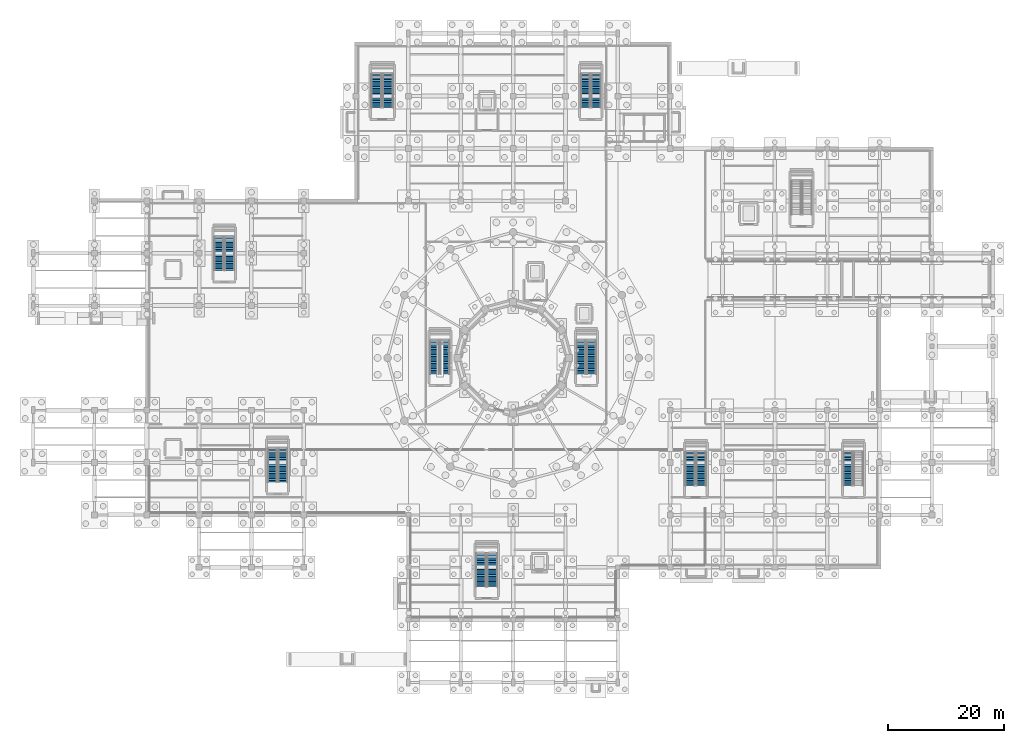
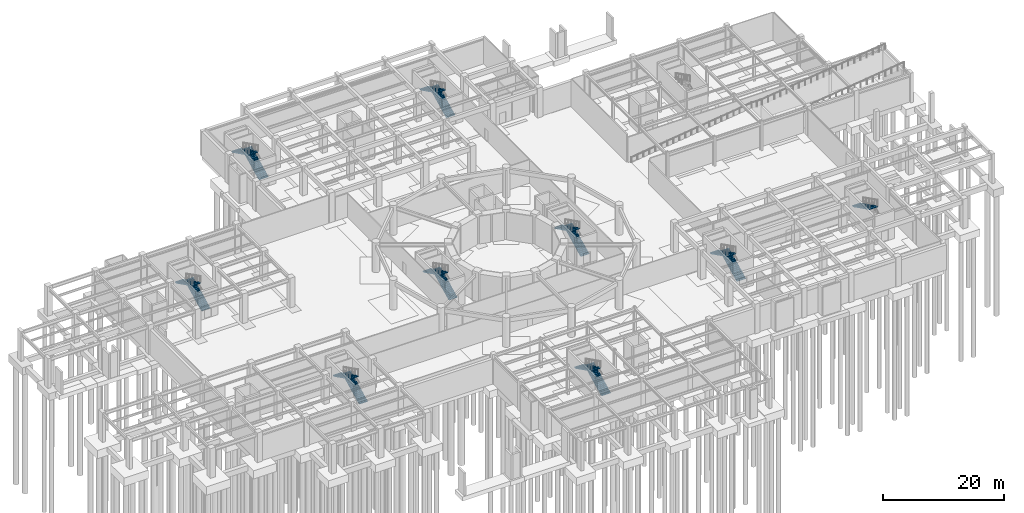
# One storey, part 24 of 36: 17 stair flights, 9 elements without a shape of their own.
"""IFC4 building model written with IfcOpenShell, lengths in metres."""

from ifc_helpers import new_model, si_unit, direction, frame, origin, place, context, subcontext, project, spatial, polyline, outline, extrude, material, type_object, element, aggregate, save


model = new_model("IFC4")

# Units and contexts
model_context = context("Model", 3, precision=1e-05, world=origin(), true_north=direction((0.0, 1.0)))
body_context = subcontext(model_context, "Body", "Model", "MODEL_VIEW")
ifc_project = project(units=[si_unit("LENGTHUNIT", "METRE"), si_unit("AREAUNIT", "SQUARE_METRE"), si_unit("VOLUMEUNIT", "CUBIC_METRE"), si_unit("PLANEANGLEUNIT", "RADIAN"), si_unit("MASSUNIT", "GRAM", prefix="KILO")], contexts=[model_context])

# Site, building, storey
site_placement = place(None, origin())
site = spatial("IfcSite", under=ifc_project, at=site_placement, CompositionType="ELEMENT")
building_placement = place(site_placement, origin())
building = spatial("IfcBuilding", under=site, at=building_placement, Name="Haizhuo Lancet Aquarium", CompositionType="ELEMENT")
storey_placement = place(building_placement, frame((0.0, 0.0, -6.0)))
storey = spatial("IfcBuildingStorey", under=building, at=storey_placement, Name="B1", CompositionType="ELEMENT", Elevation=-6.0)

# Stair, stair flights
ifc_material = material(Name="Concrete C40/50", Category="concrete")
stair_type_1 = type_object("IfcStairType", Name="STR-HT-1600-60", PredefinedType="HALF_TURN_STAIR", material=ifc_material)
stair_1_placement = place(storey_placement, origin())
stair_1 = element("IfcStair", 1, at=stair_1_placement, inside=storey, type_object=stair_type_1, Name="B1 enclosed exit stair ST-01", PredefinedType="HALF_TURN_STAIR")
stair_flight_type_1 = type_object("IfcStairFlightType", Name="FLT-STR-1600-60", PredefinedType="STRAIGHT", material=ifc_material)
stair_flight_1_placement = place(storey_placement, frame((-11.699951171875, -2.75, 0.0), z_axis=(0.0, 0.0, 1.0), x_axis=(0.0, 1.0, 0.0)))
stair_flight_1 = element("IfcStairFlight", 2, at=stair_flight_1_placement, type_object=stair_flight_type_1, Name="ST-16 flight 1", NumberOfRisers=20, NumberOfTreads=19, PredefinedType="STRAIGHT", RiserHeight=0.15, TreadLength=0.3, context=body_context, shape_type="SweptSolid", body=[
    extrude(outline(polyline([(0.0, 0.0), (0.0, 0.14990234375), (0.300048828125, 0.14990234375), (0.300048828125, 0.300048828125), (0.60009765625, 0.300048828125), (0.60009765625, 0.449951171875), (0.89990234375, 0.449951171875), (0.89990234375, 0.60009765625), (1.199951171875, 0.60009765625), (1.199951171875, 0.75), (1.5, 0.75), (1.5, 0.89990234375), (1.800048828125, 0.89990234375), (1.800048828125, 1.050048828125), (2.10009765625, 1.050048828125), (2.10009765625, 1.199951171875), (2.39990234375, 1.199951171875), (2.39990234375, 1.35009765625), (2.699951171875, 1.35009765625), (2.699951171875, 1.5), (3.0, 1.5), (3.0, 1.64990234375), (3.300048828125, 1.64990234375), (3.300048828125, 1.800048828125), (3.60009765625, 1.800048828125), (3.60009765625, 1.949951171875), (3.89990234375, 1.949951171875), (3.89990234375, 2.10009765625), (4.199951171875, 2.10009765625), (4.199951171875, 2.25), (4.5, 2.25), (4.5, 2.39990234375), (4.800048828125, 2.39990234375), (4.800048828125, 2.550048828125), (5.10009765625, 2.550048828125), (5.10009765625, 2.699951171875), (5.39990234375, 2.699951171875), (5.39990234375, 2.85009765625), (5.699951171875, 2.85009765625), (5.699951171875, 3.0), (5.699951171875, 2.671142578125), (0.357666015625, 0.0), (0.0, 0.0)])), frame((0.0, 0.800048828125, 0.0), z_axis=(0.0, -1.0, 0.0), x_axis=(1.0, 0.0, 0.0)), (0.0, 0.0, 1.0), 1.60009765625),
])
stair_flight_2_placement = place(storey_placement, frame((-13.5, 2.949951171875, 3.0), z_axis=(0.0, 0.0, 1.0), x_axis=(0.0, -1.0, 0.0)))
stair_flight_2 = element("IfcStairFlight", 3, at=stair_flight_2_placement, type_object=stair_flight_type_1, Name="ST-16 flight 2", NumberOfRisers=20, NumberOfTreads=19, PredefinedType="STRAIGHT", RiserHeight=0.15, TreadLength=0.3, context=body_context, shape_type="SweptSolid", body=[
    extrude(outline(polyline([(0.0, 0.0), (0.0, 0.14990234375), (0.300048828125, 0.14990234375), (0.300048828125, 0.300048828125), (0.60009765625, 0.300048828125), (0.60009765625, 0.449951171875), (0.89990234375, 0.449951171875), (0.89990234375, 0.60009765625), (1.199951171875, 0.60009765625), (1.199951171875, 0.75), (1.5, 0.75), (1.5, 0.89990234375), (1.800048828125, 0.89990234375), (1.800048828125, 1.050048828125), (2.10009765625, 1.050048828125), (2.10009765625, 1.199951171875), (2.39990234375, 1.199951171875), (2.39990234375, 1.35009765625), (2.699951171875, 1.35009765625), (2.699951171875, 1.5), (3.0, 1.5), (3.0, 1.64990234375), (3.300048828125, 1.64990234375), (3.300048828125, 1.800048828125), (3.60009765625, 1.800048828125), (3.60009765625, 1.949951171875), (3.89990234375, 1.949951171875), (3.89990234375, 2.10009765625), (4.199951171875, 2.10009765625), (4.199951171875, 2.25), (4.5, 2.25), (4.5, 2.39990234375), (4.800048828125, 2.39990234375), (4.800048828125, 2.550048828125), (5.10009765625, 2.550048828125), (5.10009765625, 2.699951171875), (5.39990234375, 2.699951171875), (5.39990234375, 2.85009765625), (5.699951171875, 2.85009765625), (5.699951171875, 3.0), (5.699951171875, 2.671142578125), (0.357666015625, 0.0), (0.0, 0.0)])), frame((0.0, 0.800048828125, 0.0), z_axis=(0.0, -1.0, 0.0), x_axis=(1.0, 0.0, 0.0)), (0.0, 0.0, 1.0), 1.60009765625),
])
aggregate(stair_1, [stair_flight_1, stair_flight_2])

stair_2_placement = place(storey_placement, origin())
stair_2 = element("IfcStair", 4, at=stair_2_placement, inside=storey, type_object=stair_type_1, Name="B1 enclosed exit stair ST-02", PredefinedType="HALF_TURN_STAIR")
stair_flight_3_placement = place(storey_placement, frame((13.5, -2.75, 0.0), z_axis=(0.0, 0.0, 1.0), x_axis=(0.0, 1.0, 0.0)))
stair_flight_3 = element("IfcStairFlight", 5, at=stair_flight_3_placement, type_object=stair_flight_type_1, Name="ST-16 flight 1", NumberOfRisers=20, NumberOfTreads=19, PredefinedType="STRAIGHT", RiserHeight=0.15, TreadLength=0.3, context=body_context, shape_type="SweptSolid", body=[
    extrude(outline(polyline([(0.0, 0.0), (0.0, 0.14990234375), (0.300048828125, 0.14990234375), (0.300048828125, 0.300048828125), (0.60009765625, 0.300048828125), (0.60009765625, 0.449951171875), (0.89990234375, 0.449951171875), (0.89990234375, 0.60009765625), (1.199951171875, 0.60009765625), (1.199951171875, 0.75), (1.5, 0.75), (1.5, 0.89990234375), (1.800048828125, 0.89990234375), (1.800048828125, 1.050048828125), (2.10009765625, 1.050048828125), (2.10009765625, 1.199951171875), (2.39990234375, 1.199951171875), (2.39990234375, 1.35009765625), (2.699951171875, 1.35009765625), (2.699951171875, 1.5), (3.0, 1.5), (3.0, 1.64990234375), (3.300048828125, 1.64990234375), (3.300048828125, 1.800048828125), (3.60009765625, 1.800048828125), (3.60009765625, 1.949951171875), (3.89990234375, 1.949951171875), (3.89990234375, 2.10009765625), (4.199951171875, 2.10009765625), (4.199951171875, 2.25), (4.5, 2.25), (4.5, 2.39990234375), (4.800048828125, 2.39990234375), (4.800048828125, 2.550048828125), (5.10009765625, 2.550048828125), (5.10009765625, 2.699951171875), (5.39990234375, 2.699951171875), (5.39990234375, 2.85009765625), (5.699951171875, 2.85009765625), (5.699951171875, 3.0), (5.699951171875, 2.671142578125), (0.357666015625, 0.0), (0.0, 0.0)])), frame((0.0, 0.800048828125, 0.0), z_axis=(0.0, -1.0, 0.0), x_axis=(1.0, 0.0, 0.0)), (0.0, 0.0, 1.0), 1.60009765625),
])
stair_flight_4_placement = place(storey_placement, frame((11.699951171875, 2.949951171875, 3.0), z_axis=(0.0, 0.0, 1.0), x_axis=(0.0, -1.0, 0.0)))
stair_flight_4 = element("IfcStairFlight", 6, at=stair_flight_4_placement, type_object=stair_flight_type_1, Name="ST-16 flight 2", NumberOfRisers=20, NumberOfTreads=19, PredefinedType="STRAIGHT", RiserHeight=0.15, TreadLength=0.3, context=body_context, shape_type="SweptSolid", body=[
    extrude(outline(polyline([(0.0, 0.0), (0.0, 0.14990234375), (0.300048828125, 0.14990234375), (0.300048828125, 0.300048828125), (0.60009765625, 0.300048828125), (0.60009765625, 0.449951171875), (0.89990234375, 0.449951171875), (0.89990234375, 0.60009765625), (1.199951171875, 0.60009765625), (1.199951171875, 0.75), (1.5, 0.75), (1.5, 0.89990234375), (1.800048828125, 0.89990234375), (1.800048828125, 1.050048828125), (2.10009765625, 1.050048828125), (2.10009765625, 1.199951171875), (2.39990234375, 1.199951171875), (2.39990234375, 1.35009765625), (2.699951171875, 1.35009765625), (2.699951171875, 1.5), (3.0, 1.5), (3.0, 1.64990234375), (3.300048828125, 1.64990234375), (3.300048828125, 1.800048828125), (3.60009765625, 1.800048828125), (3.60009765625, 1.949951171875), (3.89990234375, 1.949951171875), (3.89990234375, 2.10009765625), (4.199951171875, 2.10009765625), (4.199951171875, 2.25), (4.5, 2.25), (4.5, 2.39990234375), (4.800048828125, 2.39990234375), (4.800048828125, 2.550048828125), (5.10009765625, 2.550048828125), (5.10009765625, 2.699951171875), (5.39990234375, 2.699951171875), (5.39990234375, 2.85009765625), (5.699951171875, 2.85009765625), (5.699951171875, 3.0), (5.699951171875, 2.671142578125), (0.357666015625, 0.0), (0.0, 0.0)])), frame((0.0, 0.800048828125, 0.0), z_axis=(0.0, -1.0, 0.0), x_axis=(1.0, 0.0, 0.0)), (0.0, 0.0, 1.0), 1.60009765625),
])
aggregate(stair_2, [stair_flight_3, stair_flight_4])

# Stair, stair flight
stair_3_placement = place(storey_placement, origin())
stair_3 = element("IfcStair", 7, at=stair_3_placement, inside=storey, type_object=stair_type_1, Name="B1 enclosed exit stair ST-05", PredefinedType="HALF_TURN_STAIR")
stair_flight_5_placement = place(storey_placement, frame((57.60009765625, -16.25, 3.0), z_axis=(0.0, 0.0, 1.0), x_axis=(0.0, -1.0, 0.0)))
stair_flight_5 = element("IfcStairFlight", 8, at=stair_flight_5_placement, type_object=stair_flight_type_1, Name="ST-16 flight 2", NumberOfRisers=20, NumberOfTreads=19, PredefinedType="STRAIGHT", RiserHeight=0.15, TreadLength=0.3, context=body_context, shape_type="SweptSolid", body=[
    extrude(outline(polyline([(0.0, 0.0), (0.0, 0.14990234375), (0.300048828125, 0.14990234375), (0.300048828125, 0.300048828125), (0.60009765625, 0.300048828125), (0.60009765625, 0.449951171875), (0.89990234375, 0.449951171875), (0.89990234375, 0.60009765625), (1.199951171875, 0.60009765625), (1.199951171875, 0.75), (1.5, 0.75), (1.5, 0.89990234375), (1.800048828125, 0.89990234375), (1.800048828125, 1.050048828125), (2.10009765625, 1.050048828125), (2.10009765625, 1.199951171875), (2.39990234375, 1.199951171875), (2.39990234375, 1.35009765625), (2.699951171875, 1.35009765625), (2.699951171875, 1.5), (3.0, 1.5), (3.0, 1.64990234375), (3.300048828125, 1.64990234375), (3.300048828125, 1.800048828125), (3.60009765625, 1.800048828125), (3.60009765625, 1.949951171875), (3.89990234375, 1.949951171875), (3.89990234375, 2.10009765625), (4.199951171875, 2.10009765625), (4.199951171875, 2.25), (4.5, 2.25), (4.5, 2.39990234375), (4.800048828125, 2.39990234375), (4.800048828125, 2.550048828125), (5.10009765625, 2.550048828125), (5.10009765625, 2.699951171875), (5.39990234375, 2.699951171875), (5.39990234375, 2.85009765625), (5.699951171875, 2.85009765625), (5.699951171875, 3.0), (5.699951171875, 2.671142578125), (0.357666015625, 0.0), (0.0, 0.0)])), frame((0.0, 0.800048828125, 0.0), z_axis=(0.0, -1.0, 0.0), x_axis=(1.0, 0.0, 0.0)), (0.0, 0.0, 1.0), 1.60009765625),
])
aggregate(stair_3, [stair_flight_5])

# Stair, stair flights
stair_4_placement = place(storey_placement, origin())
stair_4 = element("IfcStair", 9, at=stair_4_placement, inside=storey, type_object=stair_type_1, Name="B1 enclosed exit stair ST-09", PredefinedType="HALF_TURN_STAIR")
stair_flight_6_placement = place(storey_placement, frame((-39.60009765625, -21.35009765625, 0.0), z_axis=(0.0, 0.0, 1.0), x_axis=(0.0, 1.0, 0.0)))
stair_flight_6 = element("IfcStairFlight", 10, at=stair_flight_6_placement, type_object=stair_flight_type_1, Name="ST-16 flight 1", NumberOfRisers=20, NumberOfTreads=19, PredefinedType="STRAIGHT", RiserHeight=0.15, TreadLength=0.3, context=body_context, shape_type="SweptSolid", body=[
    extrude(outline(polyline([(0.0, 0.0), (0.0, 0.14990234375), (0.300048828125, 0.14990234375), (0.300048828125, 0.300048828125), (0.60009765625, 0.300048828125), (0.60009765625, 0.449951171875), (0.89990234375, 0.449951171875), (0.89990234375, 0.60009765625), (1.199951171875, 0.60009765625), (1.199951171875, 0.75), (1.5, 0.75), (1.5, 0.89990234375), (1.800048828125, 0.89990234375), (1.800048828125, 1.050048828125), (2.10009765625, 1.050048828125), (2.10009765625, 1.199951171875), (2.39990234375, 1.199951171875), (2.39990234375, 1.35009765625), (2.699951171875, 1.35009765625), (2.699951171875, 1.5), (3.0, 1.5), (3.0, 1.64990234375), (3.300048828125, 1.64990234375), (3.300048828125, 1.800048828125), (3.60009765625, 1.800048828125), (3.60009765625, 1.949951171875), (3.89990234375, 1.949951171875), (3.89990234375, 2.10009765625), (4.199951171875, 2.10009765625), (4.199951171875, 2.25), (4.5, 2.25), (4.5, 2.39990234375), (4.800048828125, 2.39990234375), (4.800048828125, 2.550048828125), (5.10009765625, 2.550048828125), (5.10009765625, 2.699951171875), (5.39990234375, 2.699951171875), (5.39990234375, 2.85009765625), (5.699951171875, 2.85009765625), (5.699951171875, 3.0), (5.699951171875, 2.671142578125), (0.357666015625, 0.0), (0.0, 0.0)])), frame((0.0, 0.800048828125, 0.0), z_axis=(0.0, -1.0, 0.0), x_axis=(1.0, 0.0, 0.0)), (0.0, 0.0, 1.0), 1.60009765625),
])
stair_flight_7_placement = place(storey_placement, frame((-41.39990234375, -15.64990234375, 3.0), z_axis=(0.0, 0.0, 1.0), x_axis=(0.0, -1.0, 0.0)))
stair_flight_7 = element("IfcStairFlight", 11, at=stair_flight_7_placement, type_object=stair_flight_type_1, Name="ST-16 flight 2", NumberOfRisers=20, NumberOfTreads=19, PredefinedType="STRAIGHT", RiserHeight=0.15, TreadLength=0.3, context=body_context, shape_type="SweptSolid", body=[
    extrude(outline(polyline([(0.0, 0.0), (0.0, 0.14990234375), (0.300048828125, 0.14990234375), (0.300048828125, 0.300048828125), (0.60009765625, 0.300048828125), (0.60009765625, 0.449951171875), (0.89990234375, 0.449951171875), (0.89990234375, 0.60009765625), (1.199951171875, 0.60009765625), (1.199951171875, 0.75), (1.5, 0.75), (1.5, 0.89990234375), (1.800048828125, 0.89990234375), (1.800048828125, 1.050048828125), (2.10009765625, 1.050048828125), (2.10009765625, 1.199951171875), (2.39990234375, 1.199951171875), (2.39990234375, 1.35009765625), (2.699951171875, 1.35009765625), (2.699951171875, 1.5), (3.0, 1.5), (3.0, 1.64990234375), (3.300048828125, 1.64990234375), (3.300048828125, 1.800048828125), (3.60009765625, 1.800048828125), (3.60009765625, 1.949951171875), (3.89990234375, 1.949951171875), (3.89990234375, 2.10009765625), (4.199951171875, 2.10009765625), (4.199951171875, 2.25), (4.5, 2.25), (4.5, 2.39990234375), (4.800048828125, 2.39990234375), (4.800048828125, 2.550048828125), (5.10009765625, 2.550048828125), (5.10009765625, 2.699951171875), (5.39990234375, 2.699951171875), (5.39990234375, 2.85009765625), (5.699951171875, 2.85009765625), (5.699951171875, 3.0), (5.699951171875, 2.671142578125), (0.357666015625, 0.0), (0.0, 0.0)])), frame((0.0, 0.800048828125, 0.0), z_axis=(0.0, -1.0, 0.0), x_axis=(1.0, 0.0, 0.0)), (0.0, 0.0, 1.0), 1.60009765625),
])
aggregate(stair_4, [stair_flight_6, stair_flight_7])

stair_type_2 = type_object("IfcStairType", Name="STR-HT-1650-60", PredefinedType="HALF_TURN_STAIR", material=ifc_material)
stair_5_placement = place(storey_placement, origin())
stair_5 = element("IfcStair", 12, at=stair_5_placement, inside=storey, type_object=stair_type_2, Name="B1 enclosed exit stair ST-03", PredefinedType="HALF_TURN_STAIR")
stair_flight_type_2 = type_object("IfcStairFlightType", Name="FLT-STR-1650-60", PredefinedType="STRAIGHT", material=ifc_material)
stair_flight_8_placement = place(storey_placement, frame((-48.72509765625, 15.050048828125, 0.0), z_axis=(0.0, 0.0, 1.0), x_axis=(0.0, 1.0, 0.0)))
stair_flight_8 = element("IfcStairFlight", 13, at=stair_flight_8_placement, type_object=stair_flight_type_2, Name="ST-26 flight 1", NumberOfRisers=20, NumberOfTreads=19, PredefinedType="STRAIGHT", RiserHeight=0.15, TreadLength=0.3, context=body_context, shape_type="SweptSolid", body=[
    extrude(outline(polyline([(0.0, 0.0), (0.0, 0.14990234375), (0.300048828125, 0.14990234375), (0.300048828125, 0.300048828125), (0.60009765625, 0.300048828125), (0.60009765625, 0.449951171875), (0.89990234375, 0.449951171875), (0.89990234375, 0.60009765625), (1.199951171875, 0.60009765625), (1.199951171875, 0.75), (1.5, 0.75), (1.5, 0.89990234375), (1.800048828125, 0.89990234375), (1.800048828125, 1.050048828125), (2.10009765625, 1.050048828125), (2.10009765625, 1.199951171875), (2.39990234375, 1.199951171875), (2.39990234375, 1.35009765625), (2.699951171875, 1.35009765625), (2.699951171875, 1.5), (3.0, 1.5), (3.0, 1.64990234375), (3.300048828125, 1.64990234375), (3.300048828125, 1.800048828125), (3.60009765625, 1.800048828125), (3.60009765625, 1.949951171875), (3.89990234375, 1.949951171875), (3.89990234375, 2.10009765625), (4.199951171875, 2.10009765625), (4.199951171875, 2.25), (4.5, 2.25), (4.5, 2.39990234375), (4.800048828125, 2.39990234375), (4.800048828125, 2.550048828125), (5.10009765625, 2.550048828125), (5.10009765625, 2.699951171875), (5.39990234375, 2.699951171875), (5.39990234375, 2.85009765625), (5.699951171875, 2.85009765625), (5.699951171875, 3.0), (5.699951171875, 2.671142578125), (0.357666015625, 0.0), (0.0, 0.0)])), frame((0.0, 0.824951171875, 0.0), z_axis=(0.0, -1.0, 0.0), x_axis=(1.0, 0.0, 0.0)), (0.0, 0.0, 1.0), 1.64990234375),
])
stair_flight_9_placement = place(storey_placement, frame((-50.574951171875, 20.75, 3.0), z_axis=(0.0, 0.0, 1.0), x_axis=(0.0, -1.0, 0.0)))
stair_flight_9 = element("IfcStairFlight", 14, at=stair_flight_9_placement, type_object=stair_flight_type_2, Name="ST-26 flight 2", NumberOfRisers=20, NumberOfTreads=19, PredefinedType="STRAIGHT", RiserHeight=0.15, TreadLength=0.3, context=body_context, shape_type="SweptSolid", body=[
    extrude(outline(polyline([(0.0, 0.0), (0.0, 0.14990234375), (0.300048828125, 0.14990234375), (0.300048828125, 0.300048828125), (0.60009765625, 0.300048828125), (0.60009765625, 0.449951171875), (0.89990234375, 0.449951171875), (0.89990234375, 0.60009765625), (1.199951171875, 0.60009765625), (1.199951171875, 0.75), (1.5, 0.75), (1.5, 0.89990234375), (1.800048828125, 0.89990234375), (1.800048828125, 1.050048828125), (2.10009765625, 1.050048828125), (2.10009765625, 1.199951171875), (2.39990234375, 1.199951171875), (2.39990234375, 1.35009765625), (2.699951171875, 1.35009765625), (2.699951171875, 1.5), (3.0, 1.5), (3.0, 1.64990234375), (3.300048828125, 1.64990234375), (3.300048828125, 1.800048828125), (3.60009765625, 1.800048828125), (3.60009765625, 1.949951171875), (3.89990234375, 1.949951171875), (3.89990234375, 2.10009765625), (4.199951171875, 2.10009765625), (4.199951171875, 2.25), (4.5, 2.25), (4.5, 2.39990234375), (4.800048828125, 2.39990234375), (4.800048828125, 2.550048828125), (5.10009765625, 2.550048828125), (5.10009765625, 2.699951171875), (5.39990234375, 2.699951171875), (5.39990234375, 2.85009765625), (5.699951171875, 2.85009765625), (5.699951171875, 3.0), (5.699951171875, 2.671142578125), (0.357666015625, 0.0), (0.0, 0.0)])), frame((0.0, 0.824951171875, 0.0), z_axis=(0.0, -1.0, 0.0), x_axis=(1.0, 0.0, 0.0)), (0.0, 0.0, 1.0), 1.64990234375),
])
aggregate(stair_5, [stair_flight_8, stair_flight_9])

stair_6_placement = place(storey_placement, origin())
stair_6 = element("IfcStair", 15, at=stair_6_placement, inside=storey, type_object=stair_type_2, Name="B1 enclosed exit stair ST-08", PredefinedType="HALF_TURN_STAIR")
stair_flight_10_placement = place(storey_placement, frame((14.27490234375, 43.050048828125, 0.0), z_axis=(0.0, 0.0, 1.0), x_axis=(0.0, 1.0, 0.0)))
stair_flight_10 = element("IfcStairFlight", 16, at=stair_flight_10_placement, type_object=stair_flight_type_2, Name="ST-26 flight 1", NumberOfRisers=20, NumberOfTreads=19, PredefinedType="STRAIGHT", RiserHeight=0.15, TreadLength=0.3, context=body_context, shape_type="SweptSolid", body=[
    extrude(outline(polyline([(0.0, 0.0), (0.0, 0.14990234375), (0.300048828125, 0.14990234375), (0.300048828125, 0.300048828125), (0.60009765625, 0.300048828125), (0.60009765625, 0.449951171875), (0.89990234375, 0.449951171875), (0.89990234375, 0.60009765625), (1.199951171875, 0.60009765625), (1.199951171875, 0.75), (1.5, 0.75), (1.5, 0.89990234375), (1.800048828125, 0.89990234375), (1.800048828125, 1.050048828125), (2.10009765625, 1.050048828125), (2.10009765625, 1.199951171875), (2.39990234375, 1.199951171875), (2.39990234375, 1.35009765625), (2.699951171875, 1.35009765625), (2.699951171875, 1.5), (3.0, 1.5), (3.0, 1.64990234375), (3.300048828125, 1.64990234375), (3.300048828125, 1.800048828125), (3.60009765625, 1.800048828125), (3.60009765625, 1.949951171875), (3.89990234375, 1.949951171875), (3.89990234375, 2.10009765625), (4.199951171875, 2.10009765625), (4.199951171875, 2.25), (4.5, 2.25), (4.5, 2.39990234375), (4.800048828125, 2.39990234375), (4.800048828125, 2.550048828125), (5.10009765625, 2.550048828125), (5.10009765625, 2.699951171875), (5.39990234375, 2.699951171875), (5.39990234375, 2.85009765625), (5.699951171875, 2.85009765625), (5.699951171875, 3.0), (5.699951171875, 2.671142578125), (0.357666015625, 0.0), (0.0, 0.0)])), frame((0.0, 0.824951171875, 0.0), z_axis=(0.0, -1.0, 0.0), x_axis=(1.0, 0.0, 0.0)), (0.0, 0.0, 1.0), 1.64990234375),
])
stair_flight_11_placement = place(storey_placement, frame((12.425048828125, 48.75, 3.0), z_axis=(0.0, 0.0, 1.0), x_axis=(0.0, -1.0, 0.0)))
stair_flight_11 = element("IfcStairFlight", 17, at=stair_flight_11_placement, type_object=stair_flight_type_2, Name="ST-26 flight 2", NumberOfRisers=20, NumberOfTreads=19, PredefinedType="STRAIGHT", RiserHeight=0.15, TreadLength=0.3, context=body_context, shape_type="SweptSolid", body=[
    extrude(outline(polyline([(0.0, 0.0), (0.0, 0.14990234375), (0.300048828125, 0.14990234375), (0.300048828125, 0.300048828125), (0.60009765625, 0.300048828125), (0.60009765625, 0.449951171875), (0.89990234375, 0.449951171875), (0.89990234375, 0.60009765625), (1.199951171875, 0.60009765625), (1.199951171875, 0.75), (1.5, 0.75), (1.5, 0.89990234375), (1.800048828125, 0.89990234375), (1.800048828125, 1.050048828125), (2.10009765625, 1.050048828125), (2.10009765625, 1.199951171875), (2.39990234375, 1.199951171875), (2.39990234375, 1.35009765625), (2.699951171875, 1.35009765625), (2.699951171875, 1.5), (3.0, 1.5), (3.0, 1.64990234375), (3.300048828125, 1.64990234375), (3.300048828125, 1.800048828125), (3.60009765625, 1.800048828125), (3.60009765625, 1.949951171875), (3.89990234375, 1.949951171875), (3.89990234375, 2.10009765625), (4.199951171875, 2.10009765625), (4.199951171875, 2.25), (4.5, 2.25), (4.5, 2.39990234375), (4.800048828125, 2.39990234375), (4.800048828125, 2.550048828125), (5.10009765625, 2.550048828125), (5.10009765625, 2.699951171875), (5.39990234375, 2.699951171875), (5.39990234375, 2.85009765625), (5.699951171875, 2.85009765625), (5.699951171875, 3.0), (5.699951171875, 2.671142578125), (0.357666015625, 0.0), (0.0, 0.0)])), frame((0.0, 0.824951171875, 0.0), z_axis=(0.0, -1.0, 0.0), x_axis=(1.0, 0.0, 0.0)), (0.0, 0.0, 1.0), 1.64990234375),
])
aggregate(stair_6, [stair_flight_10, stair_flight_11])

stair_type_3 = type_object("IfcStairType", Name="STR-HT-1700-60", PredefinedType="HALF_TURN_STAIR", material=ifc_material)
stair_7_placement = place(storey_placement, origin())
stair_7 = element("IfcStair", 18, at=stair_7_placement, inside=storey, type_object=stair_type_3, Name="B1 enclosed exit stair ST-04", PredefinedType="HALF_TURN_STAIR")
stair_flight_type_3 = type_object("IfcStairFlightType", Name="FLT-STR-1700-60", PredefinedType="STRAIGHT", material=ifc_material)
stair_flight_12_placement = place(storey_placement, frame((32.35009765625, -21.949951171875, 0.0), z_axis=(0.0, 0.0, 1.0), x_axis=(0.0, 1.0, 0.0)))
stair_flight_12 = element("IfcStairFlight", 19, at=stair_flight_12_placement, type_object=stair_flight_type_3, Name="ST-36 flight 1", NumberOfRisers=20, NumberOfTreads=19, PredefinedType="STRAIGHT", RiserHeight=0.15, TreadLength=0.3, context=body_context, shape_type="SweptSolid", body=[
    extrude(outline(polyline([(0.0, 0.0), (0.0, 0.14990234375), (0.300048828125, 0.14990234375), (0.300048828125, 0.300048828125), (0.60009765625, 0.300048828125), (0.60009765625, 0.449951171875), (0.89990234375, 0.449951171875), (0.89990234375, 0.60009765625), (1.199951171875, 0.60009765625), (1.199951171875, 0.75), (1.5, 0.75), (1.5, 0.89990234375), (1.800048828125, 0.89990234375), (1.800048828125, 1.050048828125), (2.10009765625, 1.050048828125), (2.10009765625, 1.199951171875), (2.39990234375, 1.199951171875), (2.39990234375, 1.35009765625), (2.699951171875, 1.35009765625), (2.699951171875, 1.5), (3.0, 1.5), (3.0, 1.64990234375), (3.300048828125, 1.64990234375), (3.300048828125, 1.800048828125), (3.60009765625, 1.800048828125), (3.60009765625, 1.949951171875), (3.89990234375, 1.949951171875), (3.89990234375, 2.10009765625), (4.199951171875, 2.10009765625), (4.199951171875, 2.25), (4.5, 2.25), (4.5, 2.39990234375), (4.800048828125, 2.39990234375), (4.800048828125, 2.550048828125), (5.10009765625, 2.550048828125), (5.10009765625, 2.699951171875), (5.39990234375, 2.699951171875), (5.39990234375, 2.85009765625), (5.699951171875, 2.85009765625), (5.699951171875, 3.0), (5.699951171875, 2.671142578125), (0.357666015625, 0.0), (0.0, 0.0)])), frame((0.0, 0.85009765625, 0.0), z_axis=(0.0, -1.0, 0.0), x_axis=(1.0, 0.0, 0.0)), (0.0, 0.0, 1.0), 1.699951171875),
])
stair_flight_13_placement = place(storey_placement, frame((30.449951171875, -16.25, 3.0), z_axis=(0.0, 0.0, 1.0), x_axis=(0.0, -1.0, 0.0)))
stair_flight_13 = element("IfcStairFlight", 20, at=stair_flight_13_placement, type_object=stair_flight_type_3, Name="ST-36 flight 2", NumberOfRisers=20, NumberOfTreads=19, PredefinedType="STRAIGHT", RiserHeight=0.15, TreadLength=0.3, context=body_context, shape_type="SweptSolid", body=[
    extrude(outline(polyline([(0.0, 0.0), (0.0, 0.14990234375), (0.300048828125, 0.14990234375), (0.300048828125, 0.300048828125), (0.60009765625, 0.300048828125), (0.60009765625, 0.449951171875), (0.89990234375, 0.449951171875), (0.89990234375, 0.60009765625), (1.199951171875, 0.60009765625), (1.199951171875, 0.75), (1.5, 0.75), (1.5, 0.89990234375), (1.800048828125, 0.89990234375), (1.800048828125, 1.050048828125), (2.10009765625, 1.050048828125), (2.10009765625, 1.199951171875), (2.39990234375, 1.199951171875), (2.39990234375, 1.35009765625), (2.699951171875, 1.35009765625), (2.699951171875, 1.5), (3.0, 1.5), (3.0, 1.64990234375), (3.300048828125, 1.64990234375), (3.300048828125, 1.800048828125), (3.60009765625, 1.800048828125), (3.60009765625, 1.949951171875), (3.89990234375, 1.949951171875), (3.89990234375, 2.10009765625), (4.199951171875, 2.10009765625), (4.199951171875, 2.25), (4.5, 2.25), (4.5, 2.39990234375), (4.800048828125, 2.39990234375), (4.800048828125, 2.550048828125), (5.10009765625, 2.550048828125), (5.10009765625, 2.699951171875), (5.39990234375, 2.699951171875), (5.39990234375, 2.85009765625), (5.699951171875, 2.85009765625), (5.699951171875, 3.0), (5.699951171875, 2.671142578125), (0.357666015625, 0.0), (0.0, 0.0)])), frame((0.0, 0.85009765625, 0.0), z_axis=(0.0, -1.0, 0.0), x_axis=(1.0, 0.0, 0.0)), (0.0, 0.0, 1.0), 1.699951171875),
])
aggregate(stair_7, [stair_flight_12, stair_flight_13])

stair_type_4 = type_object("IfcStairType", Name="STR-HT-1750-60", PredefinedType="HALF_TURN_STAIR", material=ifc_material)
stair_8_placement = place(storey_placement, origin())
stair_8 = element("IfcStair", 21, at=stair_8_placement, inside=storey, type_object=stair_type_4, Name="B1 enclosed exit stair ST-06", PredefinedType="HALF_TURN_STAIR")
stair_flight_type_4 = type_object("IfcStairFlightType", Name="FLT-STR-1750-60", PredefinedType="STRAIGHT", material=ifc_material)
stair_flight_14_placement = place(storey_placement, frame((-3.574951171875, -39.35009765625, 0.0), z_axis=(0.0, 0.0, 1.0), x_axis=(0.0, 1.0, 0.0)))
stair_flight_14 = element("IfcStairFlight", 22, at=stair_flight_14_placement, type_object=stair_flight_type_4, Name="ST-46 flight 1", NumberOfRisers=20, NumberOfTreads=19, PredefinedType="STRAIGHT", RiserHeight=0.15, TreadLength=0.3, context=body_context, shape_type="SweptSolid", body=[
    extrude(outline(polyline([(0.0, 0.0), (0.0, 0.14990234375), (0.300048828125, 0.14990234375), (0.300048828125, 0.300048828125), (0.60009765625, 0.300048828125), (0.60009765625, 0.449951171875), (0.89990234375, 0.449951171875), (0.89990234375, 0.60009765625), (1.199951171875, 0.60009765625), (1.199951171875, 0.75), (1.5, 0.75), (1.5, 0.89990234375), (1.800048828125, 0.89990234375), (1.800048828125, 1.050048828125), (2.10009765625, 1.050048828125), (2.10009765625, 1.199951171875), (2.39990234375, 1.199951171875), (2.39990234375, 1.35009765625), (2.699951171875, 1.35009765625), (2.699951171875, 1.5), (3.0, 1.5), (3.0, 1.64990234375), (3.300048828125, 1.64990234375), (3.300048828125, 1.800048828125), (3.60009765625, 1.800048828125), (3.60009765625, 1.949951171875), (3.89990234375, 1.949951171875), (3.89990234375, 2.10009765625), (4.199951171875, 2.10009765625), (4.199951171875, 2.25), (4.5, 2.25), (4.5, 2.39990234375), (4.800048828125, 2.39990234375), (4.800048828125, 2.550048828125), (5.10009765625, 2.550048828125), (5.10009765625, 2.699951171875), (5.39990234375, 2.699951171875), (5.39990234375, 2.85009765625), (5.699951171875, 2.85009765625), (5.699951171875, 3.0), (5.699951171875, 2.671142578125), (0.357666015625, 0.0), (0.0, 0.0)])), frame((0.0, 0.875, 0.0), z_axis=(0.0, -1.0, 0.0), x_axis=(1.0, 0.0, 0.0)), (0.0, 0.0, 1.0), 1.75),
])
stair_flight_15_placement = place(storey_placement, frame((-5.52490234375, -33.64990234375, 3.0), z_axis=(0.0, 0.0, 1.0), x_axis=(0.0, -1.0, 0.0)))
stair_flight_15 = element("IfcStairFlight", 23, at=stair_flight_15_placement, type_object=stair_flight_type_4, Name="ST-46 flight 2", NumberOfRisers=20, NumberOfTreads=19, PredefinedType="STRAIGHT", RiserHeight=0.15, TreadLength=0.3, context=body_context, shape_type="SweptSolid", body=[
    extrude(outline(polyline([(0.0, 0.0), (0.0, 0.14990234375), (0.300048828125, 0.14990234375), (0.300048828125, 0.300048828125), (0.60009765625, 0.300048828125), (0.60009765625, 0.449951171875), (0.89990234375, 0.449951171875), (0.89990234375, 0.60009765625), (1.199951171875, 0.60009765625), (1.199951171875, 0.75), (1.5, 0.75), (1.5, 0.89990234375), (1.800048828125, 0.89990234375), (1.800048828125, 1.050048828125), (2.10009765625, 1.050048828125), (2.10009765625, 1.199951171875), (2.39990234375, 1.199951171875), (2.39990234375, 1.35009765625), (2.699951171875, 1.35009765625), (2.699951171875, 1.5), (3.0, 1.5), (3.0, 1.64990234375), (3.300048828125, 1.64990234375), (3.300048828125, 1.800048828125), (3.60009765625, 1.800048828125), (3.60009765625, 1.949951171875), (3.89990234375, 1.949951171875), (3.89990234375, 2.10009765625), (4.199951171875, 2.10009765625), (4.199951171875, 2.25), (4.5, 2.25), (4.5, 2.39990234375), (4.800048828125, 2.39990234375), (4.800048828125, 2.550048828125), (5.10009765625, 2.550048828125), (5.10009765625, 2.699951171875), (5.39990234375, 2.699951171875), (5.39990234375, 2.85009765625), (5.699951171875, 2.85009765625), (5.699951171875, 3.0), (5.699951171875, 2.671142578125), (0.357666015625, 0.0), (0.0, 0.0)])), frame((0.0, 0.875, 0.0), z_axis=(0.0, -1.0, 0.0), x_axis=(1.0, 0.0, 0.0)), (0.0, 0.0, 1.0), 1.75),
])
aggregate(stair_8, [stair_flight_14, stair_flight_15])

stair_type_5 = type_object("IfcStairType", Name="STR-HT-1800-60", PredefinedType="HALF_TURN_STAIR", material=ifc_material)
stair_9_placement = place(storey_placement, origin())
stair_9 = element("IfcStair", 24, at=stair_9_placement, inside=storey, type_object=stair_type_5, Name="B1 enclosed exit stair ST-07", PredefinedType="HALF_TURN_STAIR")
stair_flight_type_5 = type_object("IfcStairFlightType", Name="FLT-STR-1800-60", PredefinedType="STRAIGHT", material=ifc_material)
stair_flight_16_placement = place(storey_placement, frame((-21.5, 43.050048828125, 0.0), z_axis=(0.0, 0.0, 1.0), x_axis=(0.0, 1.0, 0.0)))
stair_flight_16 = element("IfcStairFlight", 25, at=stair_flight_16_placement, type_object=stair_flight_type_5, Name="ST-56 flight 1", NumberOfRisers=20, NumberOfTreads=19, PredefinedType="STRAIGHT", RiserHeight=0.15, TreadLength=0.3, context=body_context, shape_type="SweptSolid", body=[
    extrude(outline(polyline([(0.0, 0.0), (0.0, 0.14990234375), (0.300048828125, 0.14990234375), (0.300048828125, 0.300048828125), (0.60009765625, 0.300048828125), (0.60009765625, 0.449951171875), (0.89990234375, 0.449951171875), (0.89990234375, 0.60009765625), (1.199951171875, 0.60009765625), (1.199951171875, 0.75), (1.5, 0.75), (1.5, 0.89990234375), (1.800048828125, 0.89990234375), (1.800048828125, 1.050048828125), (2.10009765625, 1.050048828125), (2.10009765625, 1.199951171875), (2.39990234375, 1.199951171875), (2.39990234375, 1.35009765625), (2.699951171875, 1.35009765625), (2.699951171875, 1.5), (3.0, 1.5), (3.0, 1.64990234375), (3.300048828125, 1.64990234375), (3.300048828125, 1.800048828125), (3.60009765625, 1.800048828125), (3.60009765625, 1.949951171875), (3.89990234375, 1.949951171875), (3.89990234375, 2.10009765625), (4.199951171875, 2.10009765625), (4.199951171875, 2.25), (4.5, 2.25), (4.5, 2.39990234375), (4.800048828125, 2.39990234375), (4.800048828125, 2.550048828125), (5.10009765625, 2.550048828125), (5.10009765625, 2.699951171875), (5.39990234375, 2.699951171875), (5.39990234375, 2.85009765625), (5.699951171875, 2.85009765625), (5.699951171875, 3.0), (5.699951171875, 2.671142578125), (0.357666015625, 0.0), (0.0, 0.0)])), frame((0.0, 0.89990234375, 0.0), z_axis=(0.0, -1.0, 0.0), x_axis=(1.0, 0.0, 0.0)), (0.0, 0.0, 1.0), 1.800048828125),
])
stair_flight_17_placement = place(storey_placement, frame((-23.5, 48.75, 3.0), z_axis=(0.0, 0.0, 1.0), x_axis=(0.0, -1.0, 0.0)))
stair_flight_17 = element("IfcStairFlight", 26, at=stair_flight_17_placement, type_object=stair_flight_type_5, Name="ST-56 flight 2", NumberOfRisers=20, NumberOfTreads=19, PredefinedType="STRAIGHT", RiserHeight=0.15, TreadLength=0.3, context=body_context, shape_type="SweptSolid", body=[
    extrude(outline(polyline([(0.0, 0.0), (0.0, 0.14990234375), (0.300048828125, 0.14990234375), (0.300048828125, 0.300048828125), (0.60009765625, 0.300048828125), (0.60009765625, 0.449951171875), (0.89990234375, 0.449951171875), (0.89990234375, 0.60009765625), (1.199951171875, 0.60009765625), (1.199951171875, 0.75), (1.5, 0.75), (1.5, 0.89990234375), (1.800048828125, 0.89990234375), (1.800048828125, 1.050048828125), (2.10009765625, 1.050048828125), (2.10009765625, 1.199951171875), (2.39990234375, 1.199951171875), (2.39990234375, 1.35009765625), (2.699951171875, 1.35009765625), (2.699951171875, 1.5), (3.0, 1.5), (3.0, 1.64990234375), (3.300048828125, 1.64990234375), (3.300048828125, 1.800048828125), (3.60009765625, 1.800048828125), (3.60009765625, 1.949951171875), (3.89990234375, 1.949951171875), (3.89990234375, 2.10009765625), (4.199951171875, 2.10009765625), (4.199951171875, 2.25), (4.5, 2.25), (4.5, 2.39990234375), (4.800048828125, 2.39990234375), (4.800048828125, 2.550048828125), (5.10009765625, 2.550048828125), (5.10009765625, 2.699951171875), (5.39990234375, 2.699951171875), (5.39990234375, 2.85009765625), (5.699951171875, 2.85009765625), (5.699951171875, 3.0), (5.699951171875, 2.671142578125), (0.357666015625, 0.0), (0.0, 0.0)])), frame((0.0, 0.89990234375, 0.0), z_axis=(0.0, -1.0, 0.0), x_axis=(1.0, 0.0, 0.0)), (0.0, 0.0, 1.0), 1.800048828125),
])
aggregate(stair_9, [stair_flight_16, stair_flight_17])

save(model, "model.ifc")
